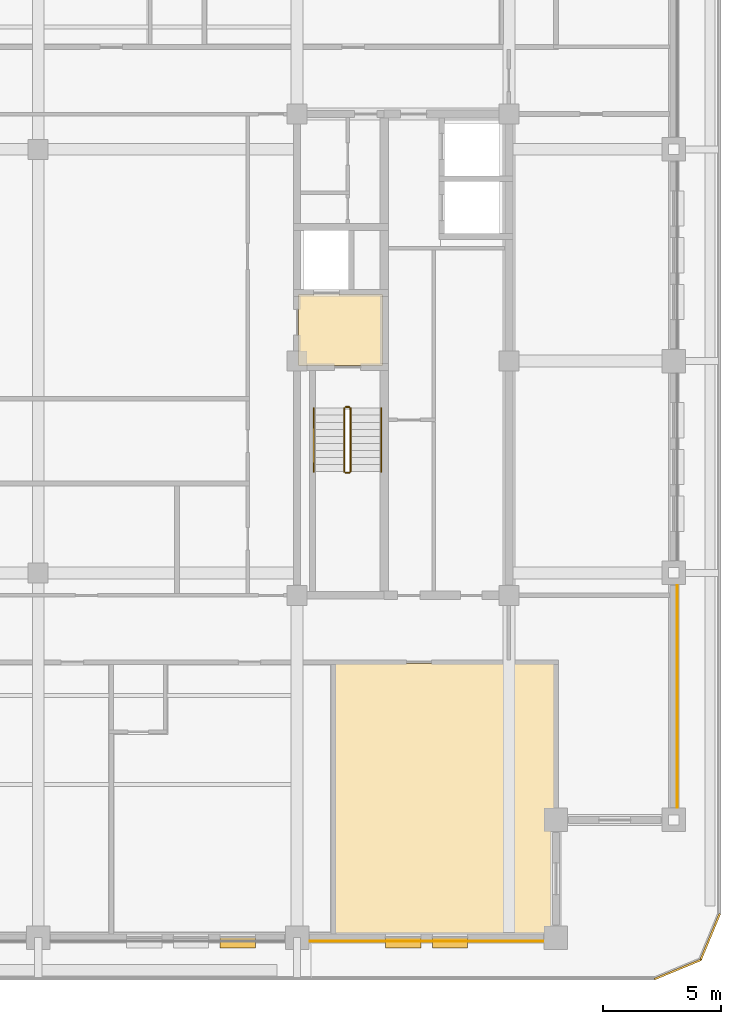
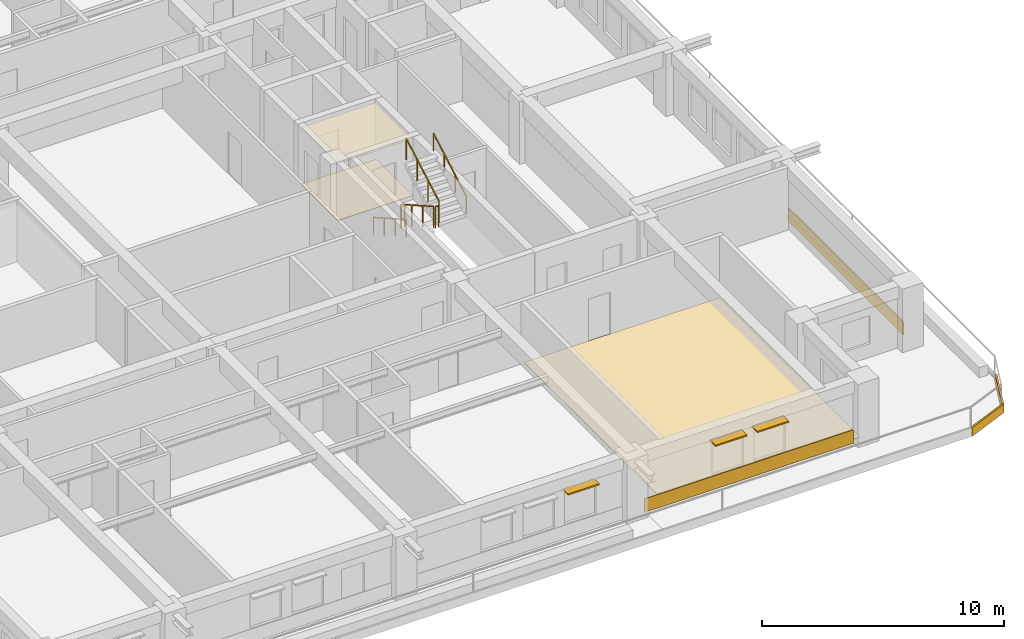
# One storey, part 12 of 13: 7 coverings, 6 railings, 3 shading devices.
"""IFC4 building model written with IfcOpenShell, lengths in metres."""

from ifc_helpers import new_model, si_unit, direction, frame, frame_2d, origin, origin_2d, place, context, subcontext, project, spatial, polyline, rectangle, outline, extrude, material, layer, layer_set, type_object, element, save


model = new_model("IFC4")

# Units and contexts
model_context = context("Model", 3, precision=1e-05, world=origin(), true_north=direction((0.0, 1.0)))
body_context = subcontext(model_context, "Body", "Model", "MODEL_VIEW")
ifc_project = project(units=[si_unit("LENGTHUNIT", "METRE"), si_unit("AREAUNIT", "SQUARE_METRE"), si_unit("VOLUMEUNIT", "CUBIC_METRE"), si_unit("PLANEANGLEUNIT", "RADIAN"), si_unit("MASSUNIT", "GRAM", prefix="KILO")], contexts=[model_context])

# Site, building, storey
site_placement = place(None, origin())
site = spatial("IfcSite", under=ifc_project, at=site_placement, CompositionType="ELEMENT")
building_placement = place(site_placement, origin())
building = spatial("IfcBuilding", under=site, at=building_placement, Name="Zulmaris Gate Convention Tower", CompositionType="ELEMENT")
storey_placement = place(building_placement, frame((0.0, 0.0, 176.259765625)))
storey = spatial("IfcBuildingStorey", under=building, at=storey_placement, Name="L45", CompositionType="ELEMENT", Elevation=176.259765625)

# Coverings
ifc_material_1 = material(Name="Precast concrete C40/50", Category="concrete")
ifc_layer_1 = layer(ifc_material_1, 0.0400390625, Name="Precast concrete C40/50")
ifc_layer_set_1 = layer_set([ifc_layer_1], Name="Precast concrete C40/50")
covering_type_1 = type_object("IfcCoveringType", Name="CLAD-SPANDREL-PRECAST", PredefinedType="CLADDING", material=ifc_layer_set_1)
covering_1_placement = place(storey_placement, frame((11.530029296875, -24.64990234375, 0.0), z_axis=(0.0, 0.0, 1.0), x_axis=(1.0, 0.0, 0.0)))
element("IfcCovering", 1, at=covering_1_placement, inside=storey, type_object=covering_type_1, Name="CLD-L45-S-3_0", PredefinedType="CLADDING", context=body_context, shape_type="SweptSolid", body=[
    extrude(rectangle(XDim=9.93994140625, YDim=0.0400390625, at=frame_2d((4.969970703125, 0.0))), origin(), (0.0, 0.0, 1.0), 0.679931640625),
])
covering_2_placement = place(storey_placement, frame((27.14990234375, -18.969970703125, 0.0), z_axis=(0.0, 0.0, 1.0), x_axis=(0.0, 1.0, 0.0)))
element("IfcCovering", 2, at=covering_2_placement, inside=storey, type_object=covering_type_1, Name="CLD-L45-E-0_0", PredefinedType="CLADDING", context=body_context, shape_type="SweptSolid", body=[
    extrude(rectangle(XDim=9.43994140625, YDim=0.0400390625, at=frame_2d((4.719970703125, 0.0))), origin(), (0.0, 0.0, 1.0), 0.679931640625),
])
ifc_material_2 = material(Name="White Glazed Architectural Precast Concrete C40/50", Category="concrete")
ifc_layer_2 = layer(ifc_material_2, 0.080078125, Name="White Glazed Architectural Precast Concrete C40/50")
ifc_layer_set_2 = layer_set([ifc_layer_2], Name="White Glazed Architectural Precast Concrete C40/50")
covering_type_2 = type_object("IfcCoveringType", Name="CLAD-TRAY-FASCIA", PredefinedType="CLADDING", material=ifc_layer_set_2)
covering_3_placement = place(storey_placement, frame((26.184814453125, -26.262939453125, -0.31494140625), z_axis=(0.0, 0.0, 1.0), x_axis=(0.923873803533, 0.382697263049, 0.0)))
element("IfcCovering", 3, at=covering_3_placement, inside=storey, type_object=covering_type_2, Name="FSC-L45-TR-03", PredefinedType="CLADDING", context=body_context, shape_type="SweptSolid", body=[
    extrude(rectangle(XDim=2.142822265625, YDim=0.080078125, at=frame_2d((1.0712890625, 0.0))), origin(), (0.0, 0.0, 1.0), 0.43994140625),
])
covering_4_placement = place(storey_placement, frame((28.142822265625, -25.464599609375, -0.31494140625), z_axis=(0.0, 0.0, 1.0), x_axis=(0.382656984709, 0.923890487046, 0.0)))
element("IfcCovering", 4, at=covering_4_placement, inside=storey, type_object=covering_type_2, Name="FSC-L45-TR-04", PredefinedType="CLADDING", context=body_context, shape_type="SweptSolid", body=[
    extrude(rectangle(XDim=2.14306640625, YDim=0.080078125, at=frame_2d((1.071533203125, 0.0))), origin(), (0.0, 0.0, 1.0), 0.43994140625),
])
ifc_material_3 = material(Name="Mineral Fibre Acoustic Ceiling Tile")
ifc_layer_3 = layer(ifc_material_3, 0.02001953125, Name="Mineral Fibre Acoustic Ceiling Tile")
ifc_layer_set_3 = layer_set([ifc_layer_3], Name="Mineral Fibre Acoustic Ceiling Tile")
covering_type_3 = type_object("IfcCoveringType", Name="CLG-ACOUSTIC-600", PredefinedType="CEILING", material=ifc_layer_set_3)
covering_5_placement = place(storey_placement, frame((0.0, 0.0, 2.8701171875)))
element("IfcCovering", 5, at=covering_5_placement, inside=storey, type_object=covering_type_3, Name="CLG-L45-R08", PredefinedType="CEILING", context=body_context, shape_type="SweptSolid", body=[
    extrude(outline(polyline([(11.06005859375, -0.18994140625), (14.639892578125, -0.18994140625), (14.639892578125, 2.840087890625), (11.06005859375, 2.840087890625), (11.06005859375, -0.18994140625)])), origin(), (0.0, 0.0, 1.0), 0.02001953125),
])
ifc_material_4 = material(Name="Woven Acoustic Wool Carpet Tile")
ifc_layer_4 = layer(ifc_material_4, 0.02001953125, Name="Woven Acoustic Wool Carpet Tile")
ifc_layer_set_4 = layer_set([ifc_layer_4], Name="Woven Acoustic Wool Carpet Tile")
covering_type_4 = type_object("IfcCoveringType", Name="FLR-CARPET-12", PredefinedType="FLOORING", material=ifc_layer_set_4)
covering_6_placement = place(storey_placement, origin())
element("IfcCovering", 6, at=covering_6_placement, inside=storey, type_object=covering_type_4, Name="FLR-L45-R08", PredefinedType="FLOORING", context=body_context, shape_type="SweptSolid", body=[
    extrude(outline(polyline([(11.06005859375, -0.18994140625), (14.639892578125, -0.18994140625), (14.639892578125, 2.840087890625), (11.06005859375, 2.840087890625), (11.06005859375, -0.18994140625)])), origin(), (0.0, 0.0, 1.0), 0.02001953125),
])
ifc_material_5 = material(Name="Engineered Teak Parquet Flooring")
ifc_layer_5 = layer(ifc_material_5, 0.02001953125, Name="Engineered Teak Parquet Flooring")
ifc_layer_set_5 = layer_set([ifc_layer_5], Name="Engineered Teak Parquet Flooring")
covering_type_5 = type_object("IfcCoveringType", Name="FLR-TIMBER-18", PredefinedType="FLOORING", material=ifc_layer_set_5)
covering_7_placement = place(storey_placement, origin())
element("IfcCovering", 7, at=covering_7_placement, inside=storey, type_object=covering_type_5, Name="FLR-L45-R48", PredefinedType="FLOORING", context=body_context, shape_type="SweptSolid", body=[
    extrude(outline(polyline([(12.610107421875, -24.43994140625), (21.93994140625, -24.43994140625), (21.93994140625, -12.860107421875), (12.610107421875, -12.860107421875), (12.610107421875, -24.43994140625)])), origin(), (0.0, 0.0, 1.0), 0.02001953125),
])

# Railings
ifc_material_6 = material(Name="Painted Galvanised Steel", Category="steel")
railing_type_1 = type_object("IfcRailingType", Name="RL-STG-1150", PredefinedType="GUARDRAIL", material=ifc_material_6)
railing_1_placement = place(storey_placement, frame((13.010009765625, -2.0, 0.169921875)))
element("IfcRailing", 8, at=railing_1_placement, inside=storey, type_object=railing_type_1, Name="L45 ST-2 stair guard 1", PredefinedType="GUARDRAIL", context=body_context, shape_type="SweptSolid", body=[
    extrude(rectangle(XDim=0.048095703125, YDim=0.048095703125, at=origin_2d()), frame((0.0, 0.0, 1.076171875), z_axis=(0.0, -0.869980566543, 0.493086010588), x_axis=(1.0, 0.0, 0.0)), (0.0, 0.0, 1.0), 3.103515625),
    extrude(rectangle(XDim=0.0419921875, YDim=0.0419921875, at=origin_2d()), origin(), (0.0, 0.0, 1.0), 1.052001953125),
    extrude(rectangle(XDim=0.0419921875, YDim=0.0419921875, at=origin_2d()), frame((0.0, -0.89990234375, 0.510009765625)), (0.0, 0.0, 1.0), 1.052001953125),
    extrude(rectangle(XDim=0.0419921875, YDim=0.0419921875, at=origin_2d()), frame((0.0, -1.800048828125, 1.020263671875)), (0.0, 0.0, 1.0), 1.052001953125),
    extrude(rectangle(XDim=0.0419921875, YDim=0.0419921875, at=origin_2d()), frame((0.0, -2.699951171875, 1.5302734375)), (0.0, 0.0, 1.0), 1.052001953125),
])
railing_2_placement = place(storey_placement, frame((13.06005859375, -4.75, 1.7001953125)))
element("IfcRailing", 9, at=railing_2_placement, inside=storey, type_object=railing_type_1, Name="L45 ST-2 stair guard 2", PredefinedType="GUARDRAIL", context=body_context, shape_type="SweptSolid", body=[
    extrude(rectangle(XDim=0.048095703125, YDim=0.048095703125, at=origin_2d()), frame((0.0, 0.0, 1.076171875), z_axis=(1.0, 0.0, 0.0), x_axis=(0.0, 1.0, 0.0)), (0.0, 0.0, 1.0), 0.159912109375),
    extrude(rectangle(XDim=0.0419921875, YDim=0.0419921875, at=origin_2d()), origin(), (0.0, 0.0, 1.0), 1.052001953125),
    extrude(rectangle(XDim=0.0419921875, YDim=0.0419921875, at=origin_2d()), frame((0.159912109375, 0.0, 0.0)), (0.0, 0.0, 1.0), 1.052001953125),
])
railing_3_placement = place(storey_placement, frame((13.27001953125, -4.699951171875, 1.8701171875)))
element("IfcRailing", 10, at=railing_3_placement, inside=storey, type_object=railing_type_1, Name="L45 ST-2 stair guard 3", PredefinedType="GUARDRAIL", context=body_context, shape_type="SweptSolid", body=[
    extrude(rectangle(XDim=0.048095703125, YDim=0.048095703125, at=origin_2d()), frame((0.0, 0.0, 1.076171875), z_axis=(0.0, 0.870014312096, 0.49302646658), x_axis=(-1.0, 0.0, 0.0)), (0.0, 0.0, 1.0), 3.103271484375),
    extrude(rectangle(XDim=0.0419921875, YDim=0.0419921875, at=origin_2d()), origin(), (0.0, 0.0, 1.0), 1.052001953125),
    extrude(rectangle(XDim=0.0419921875, YDim=0.0419921875, at=origin_2d()), frame((0.0, 0.89990234375, 0.510009765625)), (0.0, 0.0, 1.0), 1.052001953125),
    extrude(rectangle(XDim=0.0419921875, YDim=0.0419921875, at=origin_2d()), frame((0.0, 1.800048828125, 1.02001953125)), (0.0, 0.0, 1.0), 1.052001953125),
    extrude(rectangle(XDim=0.0419921875, YDim=0.0419921875, at=origin_2d()), frame((0.0, 2.699951171875, 1.530029296875)), (0.0, 0.0, 1.0), 1.052001953125),
])
railing_4_placement = place(storey_placement, frame((13.06005859375, -1.949951171875, 0.0)))
element("IfcRailing", 11, at=railing_4_placement, inside=storey, type_object=railing_type_1, Name="L45 ST-2 stair guard 4", PredefinedType="GUARDRAIL", context=body_context, shape_type="SweptSolid", body=[
    extrude(rectangle(XDim=0.048095703125, YDim=0.048095703125, at=origin_2d()), frame((0.0, 0.0, 1.076171875), z_axis=(1.0, 0.0, 0.0), x_axis=(0.0, 1.0, 0.0)), (0.0, 0.0, 1.0), 0.159912109375),
    extrude(rectangle(XDim=0.0419921875, YDim=0.0419921875, at=origin_2d()), origin(), (0.0, 0.0, 1.0), 1.052001953125),
    extrude(rectangle(XDim=0.0419921875, YDim=0.0419921875, at=origin_2d()), frame((0.159912109375, 0.0, 0.0)), (0.0, 0.0, 1.0), 1.052001953125),
])
ifc_material_7 = material(Name="Brushed Stainless Steel", Category="steel")
railing_type_2 = type_object("IfcRailingType", Name="RL-STH-900", PredefinedType="HANDRAIL", material=ifc_material_7)
railing_5_placement = place(storey_placement, frame((11.7099609375, -2.0, 0.169921875)))
element("IfcRailing", 12, at=railing_5_placement, inside=storey, type_object=railing_type_2, Name="L45 ST-2 stair handrail 1", PredefinedType="HANDRAIL", context=body_context, shape_type="SweptSolid", body=[
    extrude(rectangle(XDim=0.048095703125, YDim=0.048095703125, at=origin_2d()), frame((0.0, 0.0, 0.8759765625), z_axis=(0.0, -0.869980566543, 0.493086010588), x_axis=(1.0, 0.0, 0.0)), (0.0, 0.0, 1.0), 3.103515625),
    extrude(rectangle(XDim=0.0419921875, YDim=0.0419921875, at=origin_2d()), origin(), (0.0, 0.0, 1.0), 0.851806640625),
    extrude(rectangle(XDim=0.0419921875, YDim=0.0419921875, at=origin_2d()), frame((0.0, -0.89990234375, 0.510009765625)), (0.0, 0.0, 1.0), 0.851806640625),
    extrude(rectangle(XDim=0.0419921875, YDim=0.0419921875, at=origin_2d()), frame((0.0, -1.800048828125, 1.020263671875)), (0.0, 0.0, 1.0), 0.851806640625),
    extrude(rectangle(XDim=0.0419921875, YDim=0.0419921875, at=origin_2d()), frame((0.0, -2.699951171875, 1.5302734375)), (0.0, 0.0, 1.0), 0.851806640625),
])
railing_6_placement = place(storey_placement, frame((14.570068359375, -4.699951171875, 1.8701171875)))
element("IfcRailing", 13, at=railing_6_placement, inside=storey, type_object=railing_type_2, Name="L45 ST-2 stair handrail 2", PredefinedType="HANDRAIL", context=body_context, shape_type="SweptSolid", body=[
    extrude(rectangle(XDim=0.048095703125, YDim=0.048095703125, at=origin_2d()), frame((0.0, 0.0, 0.8759765625), z_axis=(0.0, 0.870014312096, 0.49302646658), x_axis=(-1.0, 0.0, 0.0)), (0.0, 0.0, 1.0), 3.103271484375),
    extrude(rectangle(XDim=0.0419921875, YDim=0.0419921875, at=origin_2d()), origin(), (0.0, 0.0, 1.0), 0.851806640625),
    extrude(rectangle(XDim=0.0419921875, YDim=0.0419921875, at=origin_2d()), frame((0.0, 0.89990234375, 0.510009765625)), (0.0, 0.0, 1.0), 0.851806640625),
    extrude(rectangle(XDim=0.0419921875, YDim=0.0419921875, at=origin_2d()), frame((0.0, 1.800048828125, 1.02001953125)), (0.0, 0.0, 1.0), 0.851806640625),
    extrude(rectangle(XDim=0.0419921875, YDim=0.0419921875, at=origin_2d()), frame((0.0, 2.699951171875, 1.530029296875)), (0.0, 0.0, 1.0), 0.851806640625),
])

# Shading devices
ifc_material_8 = material(Name="Glazed Ceramic Terracotta", Category="masonry")
ifc_layer_6 = layer(ifc_material_8, 0.070068359375, Name="Glazed Ceramic Terracotta")
ifc_layer_set_6 = layer_set([ifc_layer_6], Name="Glazed Ceramic Terracotta")
shading_device_type = type_object("IfcShadingDeviceType", Name="SHD-SUNSHADE-TC", PredefinedType="AWNING", material=ifc_layer_set_6)
for number, where, z_axis, x_axis, name in (
    (14, (7.73193359375, -24.719970703125, 2.35009765625), (0.0, 0.0, 1.0), (1.0, 0.0, 0.0), "SHD-EW-L45-S-2_0-4"),
    (15, (14.756103515625, -24.719970703125, 2.35009765625), (0.0, 0.0, 1.0), (1.0, 0.0, 0.0), "SHD-EW-L45-S-3_0-2"),
    (16, (16.743896484375, -24.719970703125, 2.35009765625), (0.0, 0.0, 1.0), (1.0, 0.0, 0.0), "SHD-EW-L45-S-3_0-3"),
):
    element("IfcShadingDevice", number, at=place(storey_placement, frame(where, z_axis=z_axis, x_axis=x_axis)), inside=storey, type_object=shading_device_type, Name=name, PredefinedType="AWNING", context=body_context, shape_type="SweptSolid", body=[
        extrude(rectangle(XDim=1.5, YDim=0.43994140625, at=frame_2d((0.75, 0.0))), origin(), (0.0, 0.0, 1.0), 0.06982421875),
    ])

save(model, "model.ifc")
